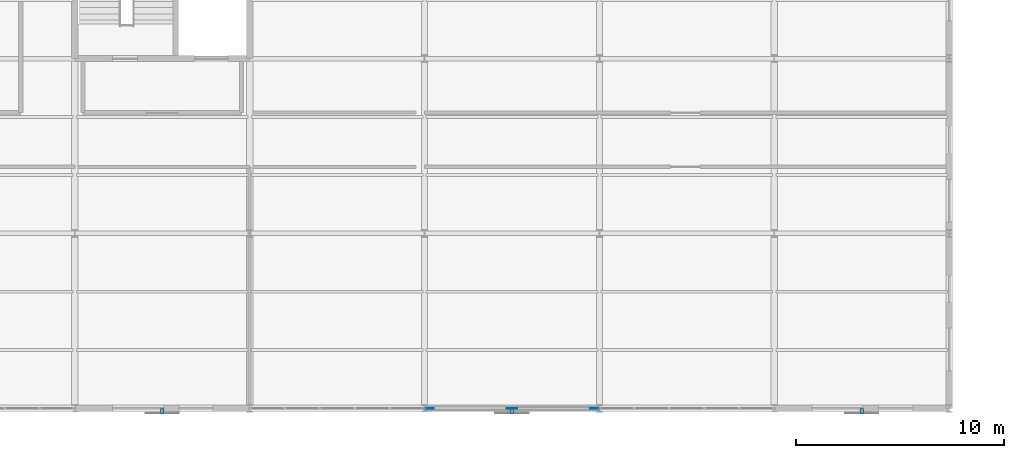
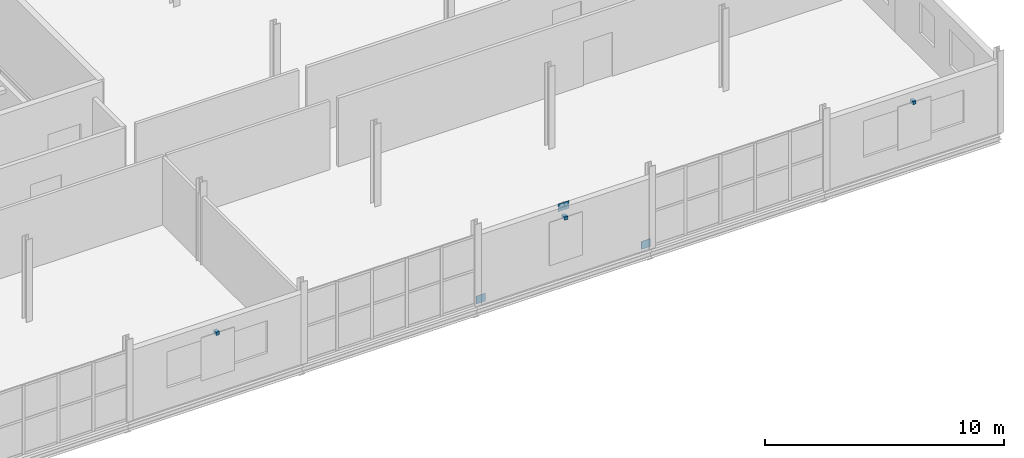
# One storey, part 151 of 163: 6 discrete accessories.
"""IFC4 building model written with IfcOpenShell, lengths in metres."""

from ifc_helpers import new_model, si_unit, direction, frame, origin, origin_2d, place, context, subcontext, project, spatial, rectangle, extrude, material, type_object, element, save


model = new_model("IFC4")

# Units and contexts
model_context = context("Model", 3, precision=1e-05, world=origin(), true_north=direction((0.0, 1.0)))
body_context = subcontext(model_context, "Body", "Model", "MODEL_VIEW")
ifc_project = project(units=[si_unit("LENGTHUNIT", "METRE"), si_unit("AREAUNIT", "SQUARE_METRE"), si_unit("VOLUMEUNIT", "CUBIC_METRE"), si_unit("PLANEANGLEUNIT", "RADIAN"), si_unit("MASSUNIT", "GRAM", prefix="KILO")], contexts=[model_context])

# Site, building, storey
site_placement = place(None, origin())
site = spatial("IfcSite", under=ifc_project, at=site_placement, CompositionType="ELEMENT")
building_placement = place(site_placement, origin())
building = spatial("IfcBuilding", under=site, at=building_placement, Name="Qalvenar Corner Mobility Hub", CompositionType="ELEMENT")
storey_placement = place(building_placement, frame((0.0, 0.0, 4.800048828125)))
storey = spatial("IfcBuildingStorey", under=building, at=storey_placement, Name="L01", CompositionType="ELEMENT", Elevation=4.800048828125)

# Discrete accessories
ifc_material = material(Name="Steel S355", Category="steel")
discrete_accessory_type_1 = type_object("IfcDiscreteAccessoryType", Name="ACC-GUSSET-PLT", PredefinedType="BRACKET", material=ifc_material)
discrete_accessory_placement = place(storey_placement, frame((147.0, 0.0, 3.330078125), z_axis=(0.0, 0.0, 1.0), x_axis=(1.0, 0.0, 0.0)))
element("IfcDiscreteAccessory", 1, at=discrete_accessory_placement, inside=storey, type_object=discrete_accessory_type_1, Name="Chevron Apex Gusset Plate GP-A-061", PredefinedType="BRACKET", context=body_context, shape_type="SweptSolid", body=[
    extrude(rectangle(XDim=0.52001953125, YDim=0.02490234375, at=origin_2d()), origin(), (0.0, 0.0, 1.0), 0.3798828125),
])
for number, where, z_axis, x_axis, name in (
    (2, (143.02001953125, 0.0, 0.0), (0.0, 0.0, 1.0), (1.0, 0.0, 0.0), "Brace Base Gusset Plate GP-B-062"),
    (3, (150.97998046875, 0.0, 0.0), (0.0, 0.0, 1.0), (1.0, 0.0, 0.0), "Brace Base Gusset Plate GP-B-063"),
):
    element("IfcDiscreteAccessory", number, at=place(storey_placement, frame(where, z_axis=z_axis, x_axis=x_axis)), inside=storey, type_object=discrete_accessory_type_1, Name=name, PredefinedType="BRACKET", context=body_context, shape_type="SweptSolid", body=[
        extrude(rectangle(XDim=0.449951171875, YDim=0.02490234375, at=origin_2d()), origin(), (0.0, 0.0, 1.0), 0.39990234375),
    ])
discrete_accessory_type_2 = type_object("IfcDiscreteAccessoryType", Name="ACC-HINGE-BRK", PredefinedType="BRACKET", material=ifc_material)
for number, where, z_axis, x_axis, name in (
    (4, (130.199951171875, -0.1201171875, 2.97021484375), (0.0, 0.0, 1.0), (1.0, 0.0, 0.0), "Workshop Louvre Bracket BKV6-L01-2"),
    (5, (147.0, -0.1201171875, 2.97021484375), (0.0, 0.0, 1.0), (1.0, 0.0, 0.0), "Workshop Louvre Bracket BKV6-L01-4"),
    (6, (163.800048828125, -0.1201171875, 2.97021484375), (0.0, 0.0, 1.0), (1.0, 0.0, 0.0), "Workshop Louvre Bracket BKV6-L01-6"),
):
    element("IfcDiscreteAccessory", number, at=place(storey_placement, frame(where, z_axis=z_axis, x_axis=x_axis)), inside=storey, type_object=discrete_accessory_type_2, Name=name, PredefinedType="BRACKET", context=body_context, shape_type="SweptSolid", body=[
        extrude(rectangle(XDim=0.159912109375, YDim=0.239990234375, at=origin_2d()), origin(), (0.0, 0.0, 1.0), 0.159912109375),
    ])

save(model, "model.ifc")
